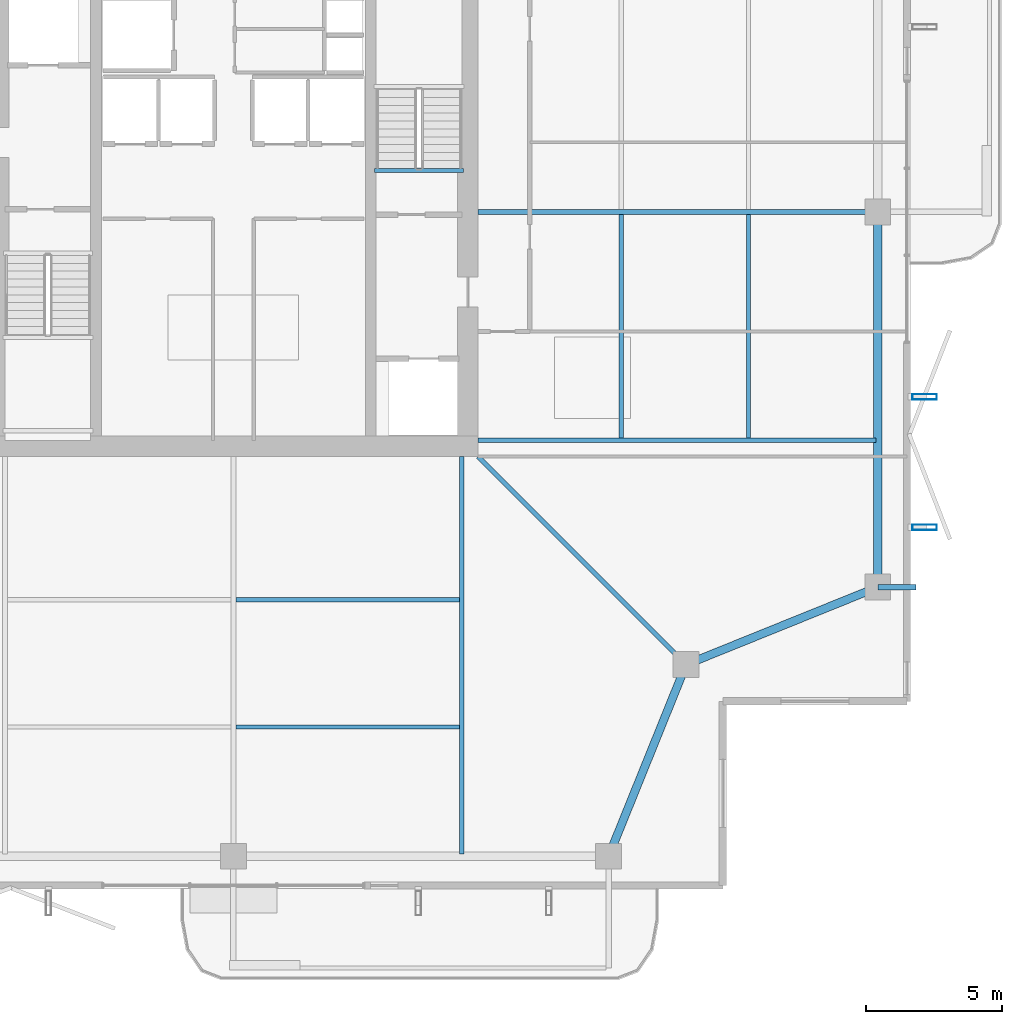
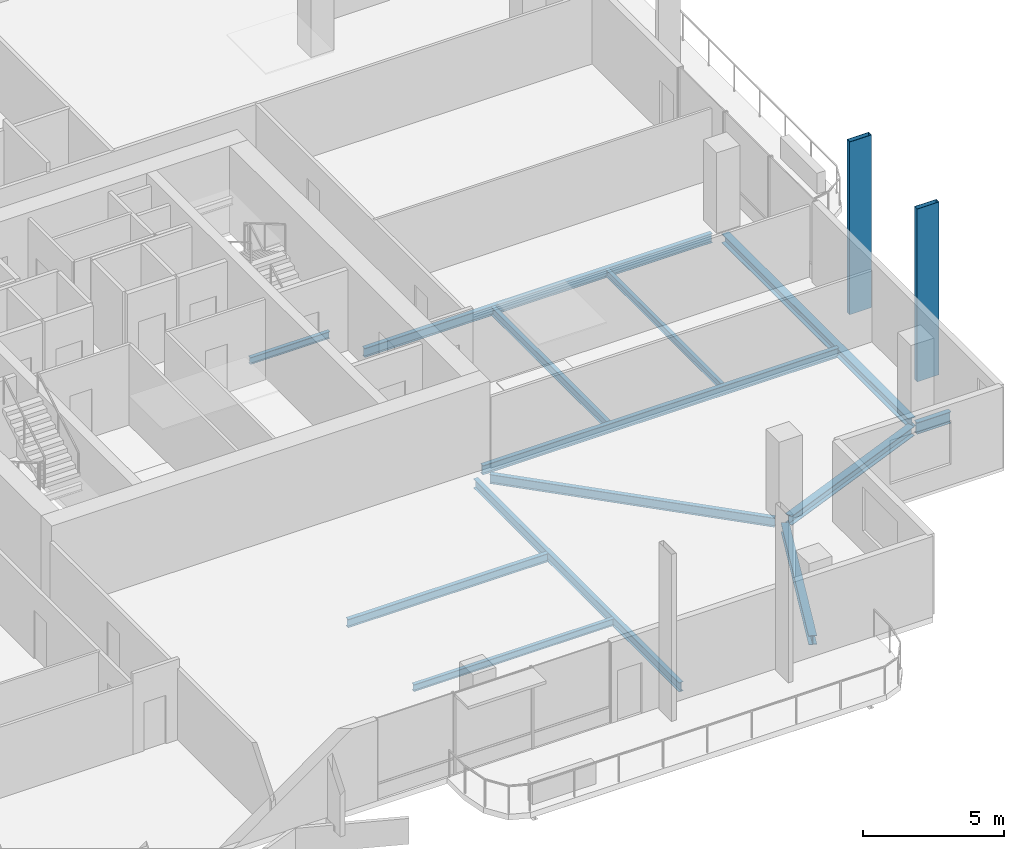
# One storey, part 9 of 25: 13 beams, 2 members.
"""IFC4 building model written with IfcOpenShell, lengths in metres."""

from ifc_helpers import new_model, si_unit, direction, frame, origin, origin_2d, place, context, subcontext, project, spatial, hollow_rectangle, i_section, extrude, material, material_profile, profile_set, type_object, element, save


model = new_model("IFC4")

# Units and contexts
model_context = context("Model", 3, precision=1e-05, world=origin(), true_north=direction((0.0, 1.0)))
body_context = subcontext(model_context, "Body", "Model", "MODEL_VIEW")
ifc_project = project(units=[si_unit("LENGTHUNIT", "METRE"), si_unit("AREAUNIT", "SQUARE_METRE"), si_unit("VOLUMEUNIT", "CUBIC_METRE"), si_unit("PLANEANGLEUNIT", "RADIAN"), si_unit("MASSUNIT", "GRAM", prefix="KILO")], contexts=[model_context])

# Site, building, storey
site_placement = place(None, origin())
site = spatial("IfcSite", under=ifc_project, at=site_placement, CompositionType="ELEMENT")
building_placement = place(site_placement, origin())
building = spatial("IfcBuilding", under=site, at=building_placement, Name="Belovzor Exchange Tower", CompositionType="ELEMENT")
storey_placement = place(building_placement, frame((0.0, 0.0, 257.85009765625)))
storey = spatial("IfcBuildingStorey", under=building, at=storey_placement, Name="L64", CompositionType="ELEMENT", Elevation=257.85009765625)

# Beams
ifc_material_1 = material(Name="Steel S355", Category="steel")
ifc_material_profile_1 = material_profile(ifc_material_1, i_section(OverallWidth=0.199951171875, OverallDepth=0.5, WebThickness=0.01025390625, FlangeThickness=0.01611328125, at=origin_2d()))
ifc_profile_set_1 = profile_set([ifc_material_profile_1], Name="Steel S355")
beam_type_1 = type_object("IfcBeamType", Name="Planted Balcony Cantilever Beam IPE 500", PredefinedType="BEAM", material=ifc_profile_set_1)
beam_1_placement = place(storey_placement, frame((52.5, 15.0, -0.5), z_axis=(1.0, 0.0, 0.0), x_axis=(0.0, 1.0, 0.0)))
element("IfcBeam", 1, at=beam_1_placement, inside=storey, type_object=beam_type_1, Name="BC-500 Planted Balcony Cantilever Beam IPE 500", PredefinedType="BEAM", context=body_context, shape_type="SweptSolid", body=[
    extrude(i_section(OverallWidth=0.199951171875, OverallDepth=0.5, WebThickness=0.01025390625, FlangeThickness=0.01611328125, at=origin_2d()), origin(), (0.0, 0.0, 1.0), 1.39990234375),
])
ifc_material_2 = material(Name="Steel S355", Category="steel")
ifc_material_profile_2 = material_profile(ifc_material_2, i_section(OverallWidth=0.169921875, OverallDepth=0.360107421875, WebThickness=0.008056640625, FlangeThickness=0.0126953125, at=origin_2d()))
ifc_profile_set_2 = profile_set([ifc_material_profile_2], Name="Steel S355")
beam_type_2 = type_object("IfcBeamType", Name="Secondary Infill Floor Joist IPE 360", PredefinedType="BEAM", material=ifc_profile_set_2)
beam_2_placement = place(storey_placement, frame((28.889892578125, 14.534912109375, -0.43017578125), z_axis=(1.0, 0.0, 0.0), x_axis=(0.0, 1.0, 0.0)))
element("IfcBeam", 2, at=beam_2_placement, inside=storey, type_object=beam_type_2, Name="FJ-360 Secondary Infill Floor Joist IPE 360", PredefinedType="BEAM", context=body_context, shape_type="SweptSolid", body=[
    extrude(i_section(OverallWidth=0.169921875, OverallDepth=0.360107421875, WebThickness=0.008056640625, FlangeThickness=0.0126953125, at=origin_2d()), origin(), (0.0, 0.0, 1.0), 8.22021484375),
])
beam_3_placement = place(storey_placement, frame((43.06494140625, 20.489990234375, -0.43017578125), z_axis=(0.0, 1.0, 0.0), x_axis=(-1.0, 0.0, 0.0)))
element("IfcBeam", 3, at=beam_3_placement, inside=storey, type_object=beam_type_2, Name="FJ-360 Secondary Infill Floor Joist IPE 360", PredefinedType="BEAM", context=body_context, shape_type="SweptSolid", body=[
    extrude(i_section(OverallWidth=0.169921875, OverallDepth=0.360107421875, WebThickness=0.008056640625, FlangeThickness=0.0126953125, at=origin_2d()), origin(), (0.0, 0.0, 1.0), 8.219970703125),
])
ifc_material_3 = material(Name="Steel S355", Category="steel")
ifc_material_profile_3 = material_profile(ifc_material_3, i_section(OverallWidth=0.14990234375, OverallDepth=0.300048828125, WebThickness=0.007080078125, FlangeThickness=0.0107421875, at=origin_2d()))
ifc_profile_set_3 = profile_set([ifc_material_profile_3], Name="Steel S355")
beam_type_3 = type_object("IfcBeamType", Name="Secondary Trim Floor Joist IPE 300", PredefinedType="BEAM", material=ifc_profile_set_3)
beam_4_placement = place(storey_placement, frame((37.260009765625, 30.320068359375, -0.400146484375), z_axis=(-1.0, 0.0, 0.0), x_axis=(0.0, -1.0, 0.0)))
element("IfcBeam", 4, at=beam_4_placement, inside=storey, type_object=beam_type_3, Name="FJ-300 Secondary Trim Floor Joist IPE 300", PredefinedType="BEAM", context=body_context, shape_type="SweptSolid", body=[
    extrude(i_section(OverallWidth=0.14990234375, OverallDepth=0.300048828125, WebThickness=0.007080078125, FlangeThickness=0.0107421875, at=origin_2d()), origin(), (0.0, 0.0, 1.0), 3.27001953125),
])
beam_5_placement = place(storey_placement, frame((28.889892578125, 9.85498046875, -0.400146484375), z_axis=(1.0, 0.0, 0.0), x_axis=(0.0, 1.0, 0.0)))
element("IfcBeam", 5, at=beam_5_placement, inside=storey, type_object=beam_type_3, Name="FJ-300 Secondary Trim Floor Joist IPE 300", PredefinedType="BEAM", context=body_context, shape_type="SweptSolid", body=[
    extrude(i_section(OverallWidth=0.14990234375, OverallDepth=0.300048828125, WebThickness=0.007080078125, FlangeThickness=0.0107421875, at=origin_2d()), origin(), (0.0, 0.0, 1.0), 8.22021484375),
])
beam_6_placement = place(storey_placement, frame((47.7451171875, 20.489990234375, -0.400146484375), z_axis=(0.0, 1.0, 0.0), x_axis=(-1.0, 0.0, 0.0)))
element("IfcBeam", 6, at=beam_6_placement, inside=storey, type_object=beam_type_3, Name="FJ-300 Secondary Trim Floor Joist IPE 300", PredefinedType="BEAM", context=body_context, shape_type="SweptSolid", body=[
    extrude(i_section(OverallWidth=0.14990234375, OverallDepth=0.300048828125, WebThickness=0.007080078125, FlangeThickness=0.0107421875, at=origin_2d()), origin(), (0.0, 0.0, 1.0), 8.219970703125),
])

# Members
ifc_material_4 = material(Name="Extruded Architectural Terracotta on Steel S355 Carrier", Category="masonry")
ifc_material_profile_4 = material_profile(ifc_material_4, hollow_rectangle(XDim=0.199951171875, YDim=0.89990234375, WallThickness=0.011962890625, at=origin_2d()))
ifc_profile_set_4 = profile_set([ifc_material_profile_4], Name="Extruded Architectural Terracotta on Steel S355 Carrier")
member_type = type_object("IfcMemberType", Name="Sweeping Terracotta Baguette Fin Assembly 950", PredefinedType="USERDEFINED", material=ifc_profile_set_4)
for number, where, z_axis, x_axis, name in (
    (7, (54.22509765625, 17.199951171875, -0.25), (0.0, 0.0, 1.0), (0.0, 1.0, 0.0), "FIN-TC095 Terracotta Facade Fin L64 E1"),
    (8, (54.22509765625, 22.0, -0.25), (0.0, 0.0, 1.0), (0.0, 1.0, 0.0), "FIN-TC095 Terracotta Facade Fin L64 E2"),
):
    element("IfcMember", number, at=place(storey_placement, frame(where, z_axis=z_axis, x_axis=x_axis)), inside=storey, type_object=member_type, Name=name, ObjectType="FIN", PredefinedType="USERDEFINED", context=body_context, shape_type="SweptSolid", body=[
        extrude(hollow_rectangle(XDim=0.199951171875, YDim=0.89990234375, WallThickness=0.011962890625, at=origin_2d()), origin(), (0.0, 0.0, 1.0), 7.5),
    ])

# Beams
ifc_material_5 = material(Name="Steel S355", Category="steel")
ifc_material_profile_5 = material_profile(ifc_material_5, i_section(OverallWidth=0.300048828125, OverallDepth=0.39990234375, WebThickness=0.013427734375, FlangeThickness=0.02392578125, at=origin_2d()))
ifc_profile_set_5 = profile_set([ifc_material_profile_5], Name="Steel S355")
beam_type_4 = type_object("IfcBeamType", Name="Zone 5 Primary Girder HEB 400", PredefinedType="BEAM", material=ifc_profile_set_5)
beam_7_placement = place(storey_placement, frame((42.697998046875, 5.342041015625, -0.4501953125), z_axis=(0.374758283536, 0.927122553345, 0.0), x_axis=(-0.927122553345, 0.374758283536, 0.0)))
element("IfcBeam", 9, at=beam_7_placement, inside=storey, type_object=beam_type_4, Name="FG-Z5 Zone 5 Primary Girder HEB 400", PredefinedType="BEAM", context=body_context, shape_type="SweptSolid", body=[
    extrude(i_section(OverallWidth=0.300048828125, OverallDepth=0.39990234375, WebThickness=0.013427734375, FlangeThickness=0.02392578125, at=origin_2d()), origin(), (0.0, 0.0, 1.0), 7.08203125),
])
beam_8_placement = place(storey_placement, frame((45.69189453125, 12.248046875, -0.4501953125), z_axis=(0.927127394661, 0.374746306278, 0.0), x_axis=(-0.374746306278, 0.927127394661, 0.0)))
element("IfcBeam", 10, at=beam_8_placement, inside=storey, type_object=beam_type_4, Name="FG-Z5 Zone 5 Primary Girder HEB 400", PredefinedType="BEAM", context=body_context, shape_type="SweptSolid", body=[
    extrude(i_section(OverallWidth=0.300048828125, OverallDepth=0.39990234375, WebThickness=0.013427734375, FlangeThickness=0.02392578125, at=origin_2d()), origin(), (0.0, 0.0, 1.0), 7.082275390625),
])
beam_9_placement = place(storey_placement, frame((52.5, 15.260986328125, -0.4501953125), z_axis=(0.0, 1.0, 0.0), x_axis=(-1.0, 0.0, 0.0)))
element("IfcBeam", 11, at=beam_9_placement, inside=storey, type_object=beam_type_4, Name="FG-Z5 Zone 5 Primary Girder HEB 400", PredefinedType="BEAM", context=body_context, shape_type="SweptSolid", body=[
    extrude(i_section(OverallWidth=0.300048828125, OverallDepth=0.39990234375, WebThickness=0.013427734375, FlangeThickness=0.02392578125, at=origin_2d()), origin(), (0.0, 0.0, 1.0), 13.278076171875),
])
ifc_material_6 = material(Name="Steel S355", Category="steel")
ifc_material_profile_6 = material_profile(ifc_material_6, i_section(OverallWidth=0.179931640625, OverallDepth=0.39990234375, WebThickness=0.008544921875, FlangeThickness=0.013427734375, at=origin_2d()))
ifc_profile_set_6 = profile_set([ifc_material_profile_6], Name="Steel S355")
beam_type_5 = type_object("IfcBeamType", Name="Zone 5-6 Radial Composite Floor Beam IPE 400", PredefinedType="BEAM", material=ifc_profile_set_6)
for number, where, z_axis, x_axis, name in (
    (12, (37.199951171875, 19.800048828125, -0.4501953125), (0.0, -1.0, 0.0), (1.0, 0.0, 0.0), "FB-400 Zone 5-6 Radial Composite Floor Beam IPE 400"),
    (13, (37.800048828125, 20.39990234375, -0.4501953125), (1.0, 0.0, 0.0), (0.0, 1.0, 0.0), "FB-400 Zone 5-6 Radial Composite Floor Beam IPE 400"),
):
    element("IfcBeam", number, at=place(storey_placement, frame(where, z_axis=z_axis, x_axis=x_axis)), inside=storey, type_object=beam_type_5, Name=name, PredefinedType="BEAM", context=body_context, shape_type="SweptSolid", body=[
        extrude(i_section(OverallWidth=0.179931640625, OverallDepth=0.39990234375, WebThickness=0.008544921875, FlangeThickness=0.013427734375, at=origin_2d()), origin(), (0.0, 0.0, 1.0), 14.625),
    ])
beam_10_placement = place(storey_placement, frame((37.800048828125, 28.800048828125, -0.4501953125), z_axis=(1.0, 0.0, 0.0), x_axis=(0.0, 1.0, 0.0)))
element("IfcBeam", 14, at=beam_10_placement, inside=storey, type_object=beam_type_5, Name="FB-400 Zone 5-6 Radial Composite Floor Beam IPE 400", PredefinedType="BEAM", context=body_context, shape_type="SweptSolid", body=[
    extrude(i_section(OverallWidth=0.179931640625, OverallDepth=0.39990234375, WebThickness=0.008544921875, FlangeThickness=0.013427734375, at=origin_2d()), origin(), (0.0, 0.0, 1.0), 14.281982421875),
])
beam_11_placement = place(storey_placement, frame((37.800048828125, 19.800048828125, -0.4501953125), z_axis=(0.707141714703, -0.707071845944, 0.0), x_axis=(0.707071845944, 0.707141714703, 0.0)))
element("IfcBeam", 15, at=beam_11_placement, inside=storey, type_object=beam_type_5, Name="FB-400 Zone 5-6 Radial Composite Floor Beam IPE 400", PredefinedType="BEAM", context=body_context, shape_type="SweptSolid", body=[
    extrude(i_section(OverallWidth=0.179931640625, OverallDepth=0.39990234375, WebThickness=0.008544921875, FlangeThickness=0.013427734375, at=origin_2d()), origin(), (0.0, 0.0, 1.0), 10.48291015625),
])

save(model, "model.ifc")
